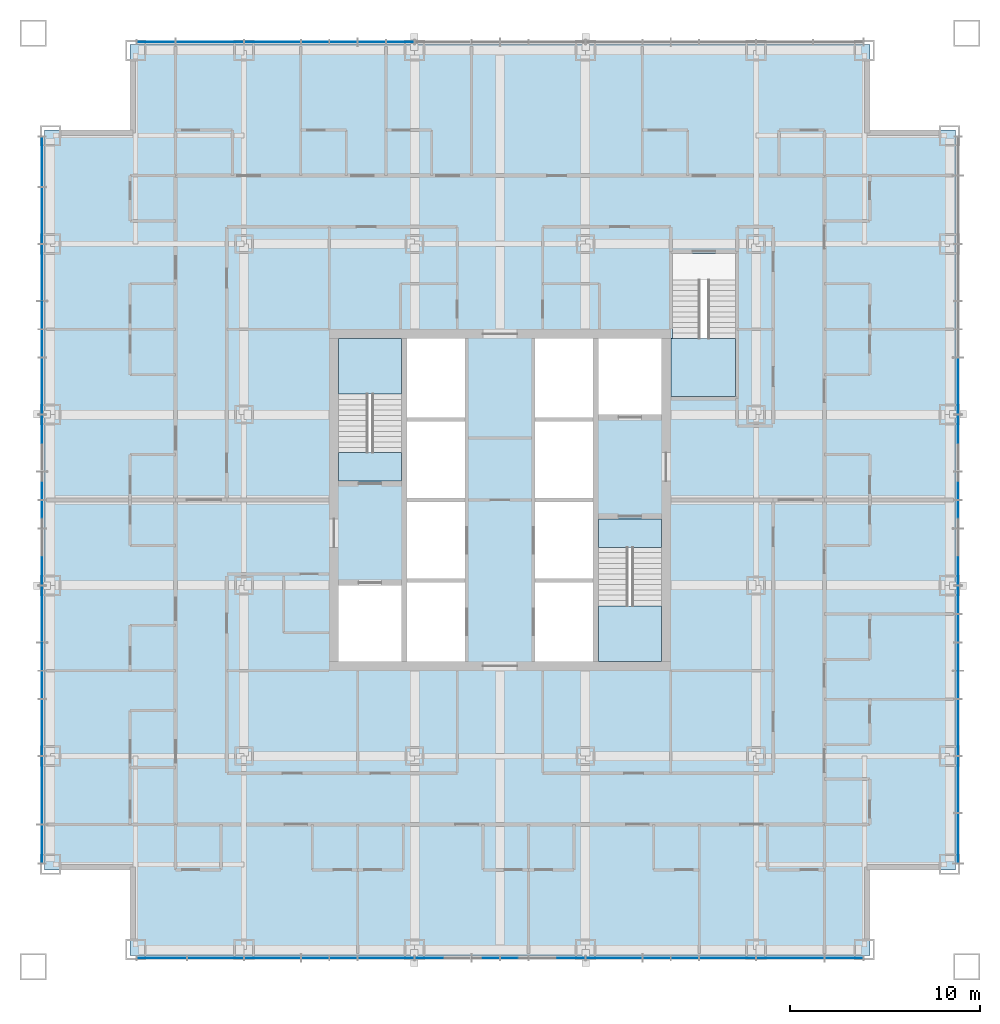
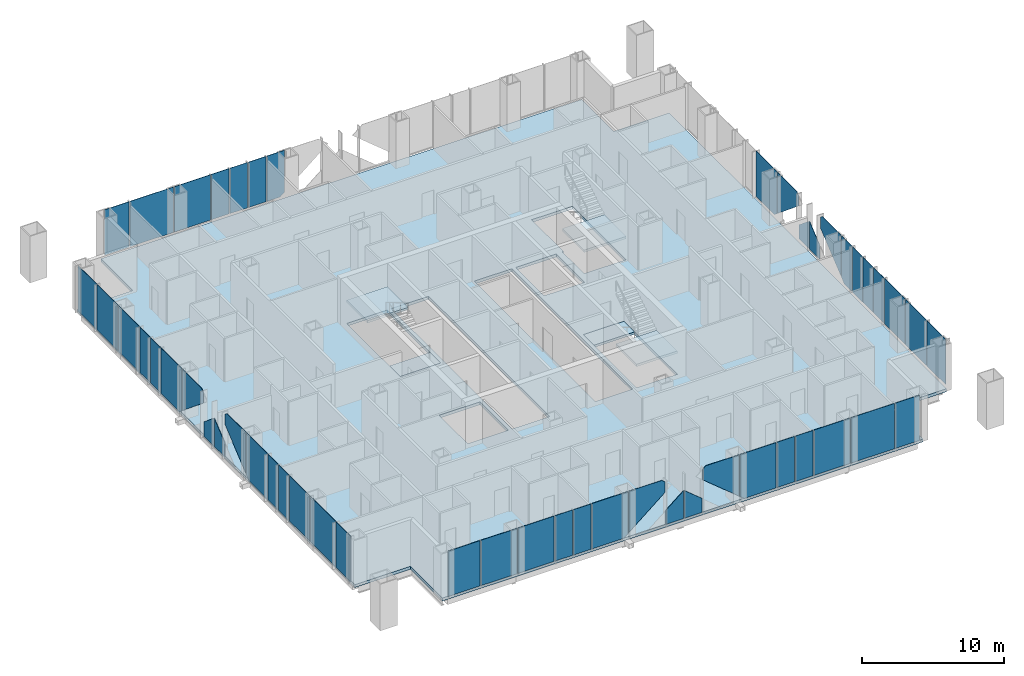
# One storey, part 7 of 16: 51 plates, 6 slabs, 7 elements without a shape of their own.
"""IFC4 building model written with IfcOpenShell, lengths in metres."""

from ifc_helpers import new_model, si_unit, direction, frame, origin, origin_2d, place, context, subcontext, project, spatial, polyline, rectangle, outline, extrude, material, layer, layer_set, type_object, element, aggregate, save


model = new_model("IFC4")

# Units and contexts
model_context = context("Model", 3, precision=1e-05, world=origin(), true_north=direction((0.0, 1.0)))
body_context = subcontext(model_context, "Body", "Model", "MODEL_VIEW")
ifc_project = project(units=[si_unit("LENGTHUNIT", "METRE"), si_unit("AREAUNIT", "SQUARE_METRE"), si_unit("VOLUMEUNIT", "CUBIC_METRE"), si_unit("PLANEANGLEUNIT", "RADIAN"), si_unit("MASSUNIT", "GRAM", prefix="KILO")], contexts=[model_context])

# Site, building, storey
site_placement = place(None, origin())
site = spatial("IfcSite", under=ifc_project, at=site_placement, CompositionType="ELEMENT")
building_placement = place(site_placement, origin())
building = spatial("IfcBuilding", under=site, at=building_placement, Name="Malebo Sky Hospital", CompositionType="ELEMENT")
storey_placement = place(building_placement, frame((0.0, 0.0, 116.0)))
storey = spatial("IfcBuildingStorey", under=building, at=storey_placement, Name="L27", CompositionType="ELEMENT", Elevation=116.0)

# Slab
ifc_material_1 = material(Name="Concrete C40/50", Category="concrete")
ifc_layer_1 = layer(ifc_material_1, 0.25)
ifc_layer_set_1 = layer_set([ifc_layer_1], Name="COMPOSITE FLOOR SLAB 250")
slab_type_1 = type_object("IfcSlabType", Name="COMPOSITE FLOOR SLAB 250", PredefinedType="FLOOR", material=ifc_layer_set_1)
slab_1_placement = place(storey_placement, frame((0.0, 0.0, -0.25)))
element("IfcSlab", 1, at=slab_1_placement, inside=storey, type_object=slab_type_1, Name="Floor slab L27", PredefinedType="FLOOR", context=body_context, shape_type="SweptSolid", body=[
    extrude(outline(polyline([(40.5, 86.0), (40.5, 81.5), (36.0, 81.5), (36.0, 42.5), (40.5, 42.5), (40.5, 38.0), (79.5, 38.0), (79.5, 42.5), (84.0, 42.5), (84.0, 81.5), (79.5, 81.5), (79.5, 86.0), (40.5, 86.0)]), holes=[polyline([(55.10009765625, 70.5), (58.14990234375, 70.5), (58.14990234375, 53.5), (55.10009765625, 53.5), (55.10009765625, 70.5)]), polyline([(64.89990234375, 70.5), (64.89990234375, 53.5), (61.85009765625, 53.5), (61.85009765625, 70.5), (64.89990234375, 70.5)]), polyline([(54.800048828125, 63.0), (51.5, 63.0), (51.5, 70.5), (54.800048828125, 70.5), (54.800048828125, 63.0)]), polyline([(51.5, 53.5), (51.5, 57.5), (54.800048828125, 57.5), (54.800048828125, 53.5), (51.5, 53.5)]), polyline([(65.199951171875, 61.0), (68.5, 61.0), (68.5, 53.5), (65.199951171875, 53.5), (65.199951171875, 61.0)]), polyline([(68.5, 70.5), (68.5, 66.5), (65.199951171875, 66.5), (65.199951171875, 70.5), (68.5, 70.5)]), polyline([(69.0, 67.449951171875), (69.0, 70.52001953125), (69.10009765625, 70.52001953125), (69.10009765625, 75.0), (72.39990234375, 75.0), (72.39990234375, 67.449951171875), (69.10009765625, 67.449951171875), (69.0, 67.449951171875)])]), origin(), (0.0, 0.0, 1.0), 0.25),
])

# Stair, slabs
stair_type_1 = type_object("IfcStairType", Name="HALF-TURN STAIR 1500 R167", PredefinedType="HALF_TURN_STAIR", material=ifc_material_1)
stair_1_placement = place(storey_placement, origin())
stair_1 = element("IfcStair", 2, at=stair_1_placement, inside=storey, type_object=stair_type_1, Name="Stair S1 L27 type ST1", PredefinedType="HALF_TURN_STAIR")
ifc_layer_2 = layer(ifc_material_1, 0.199951171875)
ifc_layer_set_2 = layer_set([ifc_layer_2], Name="STAIR LANDING 200")
slab_type_2 = type_object("IfcSlabType", Name="STAIR LANDING 200", PredefinedType="LANDING", material=ifc_layer_set_2)
slab_2_placement = place(storey_placement, frame((0.0, 0.0, -0.199951171875)))
slab_2 = element("IfcSlab", 3, at=slab_2_placement, type_object=slab_type_2, Name="S1 landing 1", PredefinedType="LANDING", context=body_context, shape_type="SweptSolid", body=[
    extrude(outline(polyline([(51.5, 63.0), (54.800048828125, 63.0), (54.800048828125, 64.5), (51.5, 64.5), (51.5, 63.0)])), origin(), (0.0, 0.0, 1.0), 0.199951171875),
])
slab_3_placement = place(storey_placement, frame((0.0, 0.0, 1.800048828125)))
slab_3 = element("IfcSlab", 4, at=slab_3_placement, type_object=slab_type_2, Name="S1 landing 2", PredefinedType="LANDING", context=body_context, shape_type="SweptSolid", body=[
    extrude(outline(polyline([(51.5, 67.580078125), (54.800048828125, 67.580078125), (54.800048828125, 70.5), (51.5, 70.5), (51.5, 67.580078125)])), origin(), (0.0, 0.0, 1.0), 0.199951171875),
])
aggregate(stair_1, [slab_2, slab_3])

stair_2_placement = place(storey_placement, origin())
stair_2 = element("IfcStair", 5, at=stair_2_placement, inside=storey, type_object=stair_type_1, Name="Stair S2 L27 type ST1", PredefinedType="HALF_TURN_STAIR")
slab_4_placement = place(storey_placement, frame((0.0, 0.0, -0.199951171875)))
slab_4 = element("IfcSlab", 6, at=slab_4_placement, type_object=slab_type_2, Name="S2 landing 1", PredefinedType="LANDING", context=body_context, shape_type="SweptSolid", body=[
    extrude(outline(polyline([(65.199951171875, 59.5), (68.5, 59.5), (68.5, 61.0), (65.199951171875, 61.0), (65.199951171875, 59.5)])), origin(), (0.0, 0.0, 1.0), 0.199951171875),
])
slab_5_placement = place(storey_placement, frame((0.0, 0.0, 1.800048828125)))
slab_5 = element("IfcSlab", 7, at=slab_5_placement, type_object=slab_type_2, Name="S2 landing 2", PredefinedType="LANDING", context=body_context, shape_type="SweptSolid", body=[
    extrude(outline(polyline([(65.199951171875, 53.5), (68.5, 53.5), (68.5, 56.419921875), (65.199951171875, 56.419921875), (65.199951171875, 53.5)])), origin(), (0.0, 0.0, 1.0), 0.199951171875),
])
aggregate(stair_2, [slab_4, slab_5])

# Stair, slab
stair_type_2 = type_object("IfcStairType", Name="HALF-TURN STAIR 1400 R167", PredefinedType="HALF_TURN_STAIR", material=ifc_material_1)
stair_3_placement = place(storey_placement, origin())
stair_3 = element("IfcStair", 8, at=stair_3_placement, inside=storey, type_object=stair_type_2, Name="Stair S3 L27 type ST1B", PredefinedType="HALF_TURN_STAIR")
slab_6_placement = place(storey_placement, frame((0.0, 0.0, 1.800048828125)))
slab_6 = element("IfcSlab", 9, at=slab_6_placement, type_object=slab_type_2, Name="S3 landing 2", PredefinedType="LANDING", context=body_context, shape_type="SweptSolid", body=[
    extrude(outline(polyline([(69.0, 67.449951171875), (72.39990234375, 67.449951171875), (72.39990234375, 70.52001953125), (69.0, 70.52001953125), (69.0, 67.449951171875)])), origin(), (0.0, 0.0, 1.0), 0.199951171875),
])
aggregate(stair_3, [slab_6])

# Curtain wall, plates
ifc_material_2 = material(Name="Anodised aluminium, natural silver", Category="aluminium")
ifc_layer_3 = layer(ifc_material_2, 0.25)
ifc_layer_set_3 = layer_set([ifc_layer_3], Name="WARD CURTAIN WALL NORTH AND SOUTH")
curtain_wall_type_1 = type_object("IfcCurtainWallType", Name="WARD CURTAIN WALL NORTH AND SOUTH", PredefinedType="NOTDEFINED", material=ifc_layer_set_3)
curtain_wall_1_placement = place(storey_placement, origin())
curtain_wall_1 = element("IfcCurtainWall", 10, at=curtain_wall_1_placement, inside=storey, type_object=curtain_wall_type_1, Name="NS curtain wall N", PredefinedType="NOTDEFINED")
ifc_material_3 = material(Name="Clear low-iron double glazing", Category="glass")
ifc_layer_4 = layer(ifc_material_3, 0.031982421875)
ifc_layer_set_4 = layer_set([ifc_layer_4], Name="VISION PANEL CLEAR 32")
plate_type = type_object("IfcPlateType", Name="VISION PANEL CLEAR 32", PredefinedType="CURTAIN_PANEL", material=ifc_layer_set_4)
plate_1_placement = place(storey_placement, frame((41.86865234375, 86.135009765625, 0.10009765625), z_axis=(0.0, 0.0, 1.0), x_axis=(1.0, 0.0, 0.0)))
plate_1 = element("IfcPlate", 11, at=plate_1_placement, type_object=plate_type, Name="Panel 1", PredefinedType="CURTAIN_PANEL", context=body_context, shape_type="SweptSolid", body=[
    extrude(rectangle(XDim=1.987548828125, YDim=0.031982421875, at=origin_2d()), origin(), (0.0, 0.0, 1.0), 3.889892578125),
])
plate_2_placement = place(storey_placement, frame((44.699951171875, 86.135009765625, 0.10009765625), z_axis=(0.0, 0.0, 1.0), x_axis=(1.0, 0.0, 0.0)))
plate_2 = element("IfcPlate", 12, at=plate_2_placement, type_object=plate_type, Name="Panel 2", PredefinedType="CURTAIN_PANEL", context=body_context, shape_type="SweptSolid", body=[
    extrude(rectangle(XDim=3.52490234375, YDim=0.031982421875, at=origin_2d()), origin(), (0.0, 0.0, 1.0), 3.889892578125),
])
plate_3_placement = place(storey_placement, frame((48.0, 86.135009765625, 0.10009765625), z_axis=(0.0, 0.0, 1.0), x_axis=(1.0, 0.0, 0.0)))
plate_3 = element("IfcPlate", 13, at=plate_3_placement, type_object=plate_type, Name="Panel 3", PredefinedType="CURTAIN_PANEL", context=body_context, shape_type="SweptSolid", body=[
    extrude(rectangle(XDim=2.925048828125, YDim=0.031982421875, at=origin_2d()), origin(), (0.0, 0.0, 1.0), 3.889892578125),
])
plate_4_placement = place(storey_placement, frame((50.25, 86.135009765625, 0.10009765625), z_axis=(0.0, 0.0, 1.0), x_axis=(1.0, 0.0, 0.0)))
plate_4 = element("IfcPlate", 14, at=plate_4_placement, type_object=plate_type, Name="Panel 4", PredefinedType="CURTAIN_PANEL", context=body_context, shape_type="SweptSolid", body=[
    extrude(rectangle(XDim=1.425048828125, YDim=0.031982421875, at=origin_2d()), origin(), (0.0, 0.0, 1.0), 3.889892578125),
])
plate_5_placement = place(storey_placement, frame((51.75, 86.135009765625, 0.10009765625), z_axis=(0.0, 0.0, 1.0), x_axis=(1.0, 0.0, 0.0)))
plate_5 = element("IfcPlate", 15, at=plate_5_placement, type_object=plate_type, Name="Panel 5", PredefinedType="CURTAIN_PANEL", context=body_context, shape_type="SweptSolid", body=[
    extrude(rectangle(XDim=1.425048828125, YDim=0.031982421875, at=origin_2d()), origin(), (0.0, 0.0, 1.0), 3.889892578125),
])
plate_6_placement = place(storey_placement, frame((53.25, 86.135009765625, 0.10009765625), z_axis=(0.0, 0.0, 1.0), x_axis=(1.0, 0.0, 0.0)))
plate_6 = element("IfcPlate", 16, at=plate_6_placement, type_object=plate_type, Name="Panel 6", PredefinedType="CURTAIN_PANEL", context=body_context, shape_type="SweptSolid", body=[
    extrude(rectangle(XDim=1.425048828125, YDim=0.031982421875, at=origin_2d()), origin(), (0.0, 0.0, 1.0), 3.889892578125),
])
plate_7_placement = place(storey_placement, frame((54.75, 86.135009765625, 0.10009765625), z_axis=(0.0, 0.0, 1.0), x_axis=(1.0, 0.0, 0.0)))
plate_7 = element("IfcPlate", 17, at=plate_7_placement, type_object=plate_type, Name="Panel 7", PredefinedType="CURTAIN_PANEL", context=body_context, shape_type="SweptSolid", body=[
    extrude(outline(polyline([(-0.71240234375, 0.0), (0.353515625, 0.0), (0.71240234375, 0.2958984375), (0.71240234375, 3.889892578125), (-0.71240234375, 3.889892578125), (-0.71240234375, 0.0)])), frame((0.0, 0.01611328125, 0.0), z_axis=(0.0, -1.0, 0.0), x_axis=(1.0, 0.0, 0.0)), (0.0, 0.0, 1.0), 0.031982421875),
])
aggregate(curtain_wall_1, [plate_1, plate_2, plate_3, plate_4, plate_5, plate_6, plate_7])

ifc_layer_5 = layer(ifc_material_2, 0.25)
ifc_layer_set_5 = layer_set([ifc_layer_5], Name="WARD CURTAIN WALL EAST AND WEST")
curtain_wall_type_2 = type_object("IfcCurtainWallType", Name="WARD CURTAIN WALL EAST AND WEST", PredefinedType="NOTDEFINED", material=ifc_layer_set_5)
curtain_wall_2_placement = place(storey_placement, origin())
curtain_wall_2 = element("IfcCurtainWall", 18, at=curtain_wall_2_placement, inside=storey, type_object=curtain_wall_type_2, Name="EW curtain wall W", PredefinedType="NOTDEFINED")
plate_8_placement = place(storey_placement, frame((35.864990234375, 43.86865234375, 0.10009765625), z_axis=(0.0, 0.0, 1.0), x_axis=(0.0, 1.0, 0.0)))
plate_8 = element("IfcPlate", 19, at=plate_8_placement, type_object=plate_type, Name="Panel 1", PredefinedType="CURTAIN_PANEL", context=body_context, shape_type="SweptSolid", body=[
    extrude(rectangle(XDim=1.987548828125, YDim=0.031982421875, at=origin_2d()), origin(), (0.0, 0.0, 1.0), 3.889892578125),
])
plate_9_placement = place(storey_placement, frame((35.864990234375, 46.699951171875, 0.10009765625), z_axis=(0.0, 0.0, 1.0), x_axis=(0.0, 1.0, 0.0)))
plate_9 = element("IfcPlate", 20, at=plate_9_placement, type_object=plate_type, Name="Panel 2", PredefinedType="CURTAIN_PANEL", context=body_context, shape_type="SweptSolid", body=[
    extrude(rectangle(XDim=3.52490234375, YDim=0.031982421875, at=origin_2d()), origin(), (0.0, 0.0, 1.0), 3.889892578125),
])
plate_10_placement = place(storey_placement, frame((35.864990234375, 50.0, 0.10009765625), z_axis=(0.0, 0.0, 1.0), x_axis=(0.0, 1.0, 0.0)))
plate_10 = element("IfcPlate", 21, at=plate_10_placement, type_object=plate_type, Name="Panel 3", PredefinedType="CURTAIN_PANEL", context=body_context, shape_type="SweptSolid", body=[
    extrude(rectangle(XDim=2.925048828125, YDim=0.031982421875, at=origin_2d()), origin(), (0.0, 0.0, 1.0), 3.889892578125),
])
plate_11_placement = place(storey_placement, frame((35.864990234375, 52.25, 0.10009765625), z_axis=(0.0, 0.0, 1.0), x_axis=(0.0, 1.0, 0.0)))
plate_11 = element("IfcPlate", 22, at=plate_11_placement, type_object=plate_type, Name="Panel 4", PredefinedType="CURTAIN_PANEL", context=body_context, shape_type="SweptSolid", body=[
    extrude(rectangle(XDim=1.425048828125, YDim=0.031982421875, at=origin_2d()), origin(), (0.0, 0.0, 1.0), 3.889892578125),
])
plate_12_placement = place(storey_placement, frame((35.864990234375, 53.75, 0.10009765625), z_axis=(0.0, 0.0, 1.0), x_axis=(0.0, 1.0, 0.0)))
plate_12 = element("IfcPlate", 23, at=plate_12_placement, type_object=plate_type, Name="Panel 5", PredefinedType="CURTAIN_PANEL", context=body_context, shape_type="SweptSolid", body=[
    extrude(rectangle(XDim=1.425048828125, YDim=0.031982421875, at=origin_2d()), origin(), (0.0, 0.0, 1.0), 3.889892578125),
])
plate_13_placement = place(storey_placement, frame((35.864990234375, 56.0, 0.10009765625), z_axis=(0.0, 0.0, 1.0), x_axis=(0.0, 1.0, 0.0)))
plate_13 = element("IfcPlate", 24, at=plate_13_placement, type_object=plate_type, Name="Panel 6", PredefinedType="CURTAIN_PANEL", context=body_context, shape_type="SweptSolid", body=[
    extrude(outline(polyline([(-1.46240234375, 0.0), (1.103515625, 0.0), (1.46240234375, 0.2958984375), (1.46240234375, 3.889892578125), (-1.46240234375, 3.889892578125), (-1.46240234375, 0.0)])), frame((0.0, 0.01611328125, 0.0), z_axis=(0.0, -1.0, 0.0), x_axis=(1.0, 0.0, 0.0)), (0.0, 0.0, 1.0), 0.031982421875),
])
plate_14_placement = place(storey_placement, frame((35.864990234375, 59.0, 0.457763671875), z_axis=(0.0, 0.0, 1.0), x_axis=(0.0, 1.0, 0.0)))
plate_14 = element("IfcPlate", 25, at=plate_14_placement, type_object=plate_type, Name="Panel 7", PredefinedType="CURTAIN_PANEL", context=body_context, shape_type="SweptSolid", body=[
    extrude(outline(polyline([(-1.46240234375, 0.0), (1.46240234375, 2.410888671875), (1.46240234375, 3.323974609375), (1.209716796875, 3.5322265625), (-1.46240234375, 3.5322265625), (-1.46240234375, 0.0)])), frame((0.0, 0.01611328125, 0.0), z_axis=(0.0, -1.0, 0.0), x_axis=(1.0, 0.0, 0.0)), (0.0, 0.0, 1.0), 0.031982421875),
])
plate_15_placement = place(storey_placement, frame((35.864990234375, 61.25, 0.10009765625), z_axis=(0.0, 0.0, 1.0), x_axis=(0.0, 1.0, 0.0)))
plate_15 = element("IfcPlate", 26, at=plate_15_placement, type_object=plate_type, Name="Panel 8", PredefinedType="CURTAIN_PANEL", context=body_context, shape_type="SweptSolid", body=[
    extrude(outline(polyline([(-0.71240234375, 0.0), (0.71240234375, 0.0), (0.71240234375, 2.383544921875), (-0.71240234375, 1.208984375), (-0.71240234375, 0.0)])), frame((0.0, 0.01611328125, 0.0), z_axis=(0.0, -1.0, 0.0), x_axis=(1.0, 0.0, 0.0)), (0.0, 0.0, 1.0), 0.031982421875),
])
plate_16_placement = place(storey_placement, frame((35.864990234375, 62.75, 0.10009765625), z_axis=(0.0, 0.0, 1.0), x_axis=(0.0, 1.0, 0.0)))
plate_16 = element("IfcPlate", 27, at=plate_16_placement, type_object=plate_type, Name="Panel 9", PredefinedType="CURTAIN_PANEL", context=body_context, shape_type="SweptSolid", body=[
    extrude(outline(polyline([(-0.71240234375, 0.0), (0.71240234375, 0.0), (0.71240234375, 1.208984375), (-0.71240234375, 2.383544921875), (-0.71240234375, 0.0)])), frame((0.0, 0.01611328125, 0.0), z_axis=(0.0, -1.0, 0.0), x_axis=(1.0, 0.0, 0.0)), (0.0, 0.0, 1.0), 0.031982421875),
])
plate_17_placement = place(storey_placement, frame((35.864990234375, 65.0, 0.457763671875), z_axis=(0.0, 0.0, 1.0), x_axis=(0.0, 1.0, 0.0)))
plate_17 = element("IfcPlate", 28, at=plate_17_placement, type_object=plate_type, Name="Panel 10", PredefinedType="CURTAIN_PANEL", context=body_context, shape_type="SweptSolid", body=[
    extrude(outline(polyline([(1.46240234375, 0.0), (1.46240234375, 3.5322265625), (-1.209716796875, 3.5322265625), (-1.46240234375, 3.323974609375), (-1.46240234375, 2.410888671875), (1.46240234375, 0.0)])), frame((0.0, 0.01611328125, 0.0), z_axis=(0.0, -1.0, 0.0), x_axis=(1.0, 0.0, 0.0)), (0.0, 0.0, 1.0), 0.031982421875),
])
plate_18_placement = place(storey_placement, frame((35.864990234375, 68.0, 0.10009765625), z_axis=(0.0, 0.0, 1.0), x_axis=(0.0, 1.0, 0.0)))
plate_18 = element("IfcPlate", 29, at=plate_18_placement, type_object=plate_type, Name="Panel 11", PredefinedType="CURTAIN_PANEL", context=body_context, shape_type="SweptSolid", body=[
    extrude(outline(polyline([(-1.103515625, 0.0), (1.46240234375, 0.0), (1.46240234375, 3.889892578125), (-1.46240234375, 3.889892578125), (-1.46240234375, 0.2958984375), (-1.103515625, 0.0)])), frame((0.0, 0.01611328125, 0.0), z_axis=(0.0, -1.0, 0.0), x_axis=(1.0, 0.0, 0.0)), (0.0, 0.0, 1.0), 0.031982421875),
])
plate_19_placement = place(storey_placement, frame((35.864990234375, 70.25, 0.10009765625), z_axis=(0.0, 0.0, 1.0), x_axis=(0.0, 1.0, 0.0)))
plate_19 = element("IfcPlate", 30, at=plate_19_placement, type_object=plate_type, Name="Panel 12", PredefinedType="CURTAIN_PANEL", context=body_context, shape_type="SweptSolid", body=[
    extrude(rectangle(XDim=1.425048828125, YDim=0.031982421875, at=origin_2d()), origin(), (0.0, 0.0, 1.0), 3.889892578125),
])
plate_20_placement = place(storey_placement, frame((35.864990234375, 71.75, 0.10009765625), z_axis=(0.0, 0.0, 1.0), x_axis=(0.0, 1.0, 0.0)))
plate_20 = element("IfcPlate", 31, at=plate_20_placement, type_object=plate_type, Name="Panel 13", PredefinedType="CURTAIN_PANEL", context=body_context, shape_type="SweptSolid", body=[
    extrude(rectangle(XDim=1.425048828125, YDim=0.031982421875, at=origin_2d()), origin(), (0.0, 0.0, 1.0), 3.889892578125),
])
plate_21_placement = place(storey_placement, frame((35.864990234375, 74.0, 0.10009765625), z_axis=(0.0, 0.0, 1.0), x_axis=(0.0, 1.0, 0.0)))
plate_21 = element("IfcPlate", 32, at=plate_21_placement, type_object=plate_type, Name="Panel 14", PredefinedType="CURTAIN_PANEL", context=body_context, shape_type="SweptSolid", body=[
    extrude(rectangle(XDim=2.925048828125, YDim=0.031982421875, at=origin_2d()), origin(), (0.0, 0.0, 1.0), 3.889892578125),
])
plate_22_placement = place(storey_placement, frame((35.864990234375, 77.0, 0.10009765625), z_axis=(0.0, 0.0, 1.0), x_axis=(0.0, 1.0, 0.0)))
plate_22 = element("IfcPlate", 33, at=plate_22_placement, type_object=plate_type, Name="Panel 15", PredefinedType="CURTAIN_PANEL", context=body_context, shape_type="SweptSolid", body=[
    extrude(rectangle(XDim=2.925048828125, YDim=0.031982421875, at=origin_2d()), origin(), (0.0, 0.0, 1.0), 3.889892578125),
])
plate_23_placement = place(storey_placement, frame((35.864990234375, 79.831298828125, 0.10009765625), z_axis=(0.0, 0.0, 1.0), x_axis=(0.0, 1.0, 0.0)))
plate_23 = element("IfcPlate", 34, at=plate_23_placement, type_object=plate_type, Name="Panel 16", PredefinedType="CURTAIN_PANEL", context=body_context, shape_type="SweptSolid", body=[
    extrude(rectangle(XDim=2.58740234375, YDim=0.031982421875, at=origin_2d()), origin(), (0.0, 0.0, 1.0), 3.889892578125),
])
aggregate(curtain_wall_2, [plate_8, plate_9, plate_10, plate_11, plate_12, plate_13, plate_14, plate_15, plate_16, plate_17, plate_18, plate_19, plate_20, plate_21, plate_22, plate_23])

curtain_wall_3_placement = place(storey_placement, origin())
curtain_wall_3 = element("IfcCurtainWall", 35, at=curtain_wall_3_placement, inside=storey, type_object=curtain_wall_type_1, Name="NS curtain wall S", PredefinedType="NOTDEFINED")
plate_24_placement = place(storey_placement, frame((78.13134765625, 37.864990234375, 0.10009765625), z_axis=(0.0, 0.0, 1.0), x_axis=(-1.0, 0.0, 0.0)))
plate_24 = element("IfcPlate", 36, at=plate_24_placement, type_object=plate_type, Name="Panel 1", PredefinedType="CURTAIN_PANEL", context=body_context, shape_type="SweptSolid", body=[
    extrude(rectangle(XDim=1.987548828125, YDim=0.031982421875, at=origin_2d()), origin(), (0.0, 0.0, 1.0), 3.889892578125),
])
plate_25_placement = place(storey_placement, frame((75.300048828125, 37.864990234375, 0.10009765625), z_axis=(0.0, 0.0, 1.0), x_axis=(-1.0, 0.0, 0.0)))
plate_25 = element("IfcPlate", 37, at=plate_25_placement, type_object=plate_type, Name="Panel 2", PredefinedType="CURTAIN_PANEL", context=body_context, shape_type="SweptSolid", body=[
    extrude(rectangle(XDim=3.52490234375, YDim=0.031982421875, at=origin_2d()), origin(), (0.0, 0.0, 1.0), 3.889892578125),
])
plate_26_placement = place(storey_placement, frame((72.0, 37.864990234375, 0.10009765625), z_axis=(0.0, 0.0, 1.0), x_axis=(-1.0, 0.0, 0.0)))
plate_26 = element("IfcPlate", 38, at=plate_26_placement, type_object=plate_type, Name="Panel 3", PredefinedType="CURTAIN_PANEL", context=body_context, shape_type="SweptSolid", body=[
    extrude(rectangle(XDim=2.925048828125, YDim=0.031982421875, at=origin_2d()), origin(), (0.0, 0.0, 1.0), 3.889892578125),
])
plate_27_placement = place(storey_placement, frame((69.75, 37.864990234375, 0.10009765625), z_axis=(0.0, 0.0, 1.0), x_axis=(-1.0, 0.0, 0.0)))
plate_27 = element("IfcPlate", 39, at=plate_27_placement, type_object=plate_type, Name="Panel 4", PredefinedType="CURTAIN_PANEL", context=body_context, shape_type="SweptSolid", body=[
    extrude(rectangle(XDim=1.425048828125, YDim=0.031982421875, at=origin_2d()), origin(), (0.0, 0.0, 1.0), 3.889892578125),
])
plate_28_placement = place(storey_placement, frame((68.25, 37.864990234375, 0.10009765625), z_axis=(0.0, 0.0, 1.0), x_axis=(-1.0, 0.0, 0.0)))
plate_28 = element("IfcPlate", 40, at=plate_28_placement, type_object=plate_type, Name="Panel 5", PredefinedType="CURTAIN_PANEL", context=body_context, shape_type="SweptSolid", body=[
    extrude(rectangle(XDim=1.425048828125, YDim=0.031982421875, at=origin_2d()), origin(), (0.0, 0.0, 1.0), 3.889892578125),
])
plate_29_placement = place(storey_placement, frame((66.0, 37.864990234375, 0.10009765625), z_axis=(0.0, 0.0, 1.0), x_axis=(-1.0, 0.0, 0.0)))
plate_29 = element("IfcPlate", 41, at=plate_29_placement, type_object=plate_type, Name="Panel 6", PredefinedType="CURTAIN_PANEL", context=body_context, shape_type="SweptSolid", body=[
    extrude(outline(polyline([(-1.46240234375, 0.0), (1.103515625, 0.0), (1.46240234375, 0.2958984375), (1.46240234375, 3.889892578125), (-1.46240234375, 3.889892578125), (-1.46240234375, 0.0)])), frame((0.0, 0.01611328125, 0.0), z_axis=(0.0, -1.0, 0.0), x_axis=(1.0, 0.0, 0.0)), (0.0, 0.0, 1.0), 0.031982421875),
])
plate_30_placement = place(storey_placement, frame((63.0, 37.864990234375, 0.457763671875), z_axis=(0.0, 0.0, 1.0), x_axis=(-1.0, 0.0, 0.0)))
plate_30 = element("IfcPlate", 42, at=plate_30_placement, type_object=plate_type, Name="Panel 7", PredefinedType="CURTAIN_PANEL", context=body_context, shape_type="SweptSolid", body=[
    extrude(outline(polyline([(-1.46240234375, 0.0), (1.46240234375, 2.410888671875), (1.46240234375, 3.323974609375), (1.209716796875, 3.5322265625), (-1.46240234375, 3.5322265625), (-1.46240234375, 0.0)])), frame((0.0, 0.01611328125, 0.0), z_axis=(0.0, -1.0, 0.0), x_axis=(1.0, 0.0, 0.0)), (0.0, 0.0, 1.0), 0.031982421875),
])
plate_31_placement = place(storey_placement, frame((60.75, 37.864990234375, 0.10009765625), z_axis=(0.0, 0.0, 1.0), x_axis=(-1.0, 0.0, 0.0)))
plate_31 = element("IfcPlate", 43, at=plate_31_placement, type_object=plate_type, Name="Panel 8", PredefinedType="CURTAIN_PANEL", context=body_context, shape_type="SweptSolid", body=[
    extrude(outline(polyline([(-0.71240234375, 0.0), (0.71240234375, 0.0), (0.71240234375, 2.383544921875), (-0.71240234375, 1.208984375), (-0.71240234375, 0.0)])), frame((0.0, 0.01611328125, 0.0), z_axis=(0.0, -1.0, 0.0), x_axis=(1.0, 0.0, 0.0)), (0.0, 0.0, 1.0), 0.031982421875),
])
plate_32_placement = place(storey_placement, frame((59.25, 37.864990234375, 0.10009765625), z_axis=(0.0, 0.0, 1.0), x_axis=(-1.0, 0.0, 0.0)))
plate_32 = element("IfcPlate", 44, at=plate_32_placement, type_object=plate_type, Name="Panel 9", PredefinedType="CURTAIN_PANEL", context=body_context, shape_type="SweptSolid", body=[
    extrude(outline(polyline([(-0.71240234375, 0.0), (0.71240234375, 0.0), (0.71240234375, 1.208984375), (-0.71240234375, 2.383544921875), (-0.71240234375, 0.0)])), frame((0.0, 0.01611328125, 0.0), z_axis=(0.0, -1.0, 0.0), x_axis=(1.0, 0.0, 0.0)), (0.0, 0.0, 1.0), 0.031982421875),
])
plate_33_placement = place(storey_placement, frame((57.0, 37.864990234375, 0.457763671875), z_axis=(0.0, 0.0, 1.0), x_axis=(-1.0, 0.0, 0.0)))
plate_33 = element("IfcPlate", 45, at=plate_33_placement, type_object=plate_type, Name="Panel 10", PredefinedType="CURTAIN_PANEL", context=body_context, shape_type="SweptSolid", body=[
    extrude(outline(polyline([(1.46240234375, 0.0), (1.46240234375, 3.5322265625), (-1.209716796875, 3.5322265625), (-1.46240234375, 3.323974609375), (-1.46240234375, 2.410888671875), (1.46240234375, 0.0)])), frame((0.0, 0.01611328125, 0.0), z_axis=(0.0, -1.0, 0.0), x_axis=(1.0, 0.0, 0.0)), (0.0, 0.0, 1.0), 0.031982421875),
])
plate_34_placement = place(storey_placement, frame((54.0, 37.864990234375, 0.10009765625), z_axis=(0.0, 0.0, 1.0), x_axis=(-1.0, 0.0, 0.0)))
plate_34 = element("IfcPlate", 46, at=plate_34_placement, type_object=plate_type, Name="Panel 11", PredefinedType="CURTAIN_PANEL", context=body_context, shape_type="SweptSolid", body=[
    extrude(outline(polyline([(-1.103515625, 0.0), (1.46240234375, 0.0), (1.46240234375, 3.889892578125), (-1.46240234375, 3.889892578125), (-1.46240234375, 0.2958984375), (-1.103515625, 0.0)])), frame((0.0, 0.01611328125, 0.0), z_axis=(0.0, -1.0, 0.0), x_axis=(1.0, 0.0, 0.0)), (0.0, 0.0, 1.0), 0.031982421875),
])
plate_35_placement = place(storey_placement, frame((51.75, 37.864990234375, 0.10009765625), z_axis=(0.0, 0.0, 1.0), x_axis=(-1.0, 0.0, 0.0)))
plate_35 = element("IfcPlate", 47, at=plate_35_placement, type_object=plate_type, Name="Panel 12", PredefinedType="CURTAIN_PANEL", context=body_context, shape_type="SweptSolid", body=[
    extrude(rectangle(XDim=1.425048828125, YDim=0.031982421875, at=origin_2d()), origin(), (0.0, 0.0, 1.0), 3.889892578125),
])
plate_36_placement = place(storey_placement, frame((50.25, 37.864990234375, 0.10009765625), z_axis=(0.0, 0.0, 1.0), x_axis=(-1.0, 0.0, 0.0)))
plate_36 = element("IfcPlate", 48, at=plate_36_placement, type_object=plate_type, Name="Panel 13", PredefinedType="CURTAIN_PANEL", context=body_context, shape_type="SweptSolid", body=[
    extrude(rectangle(XDim=1.425048828125, YDim=0.031982421875, at=origin_2d()), origin(), (0.0, 0.0, 1.0), 3.889892578125),
])
plate_37_placement = place(storey_placement, frame((48.0, 37.864990234375, 0.10009765625), z_axis=(0.0, 0.0, 1.0), x_axis=(-1.0, 0.0, 0.0)))
plate_37 = element("IfcPlate", 49, at=plate_37_placement, type_object=plate_type, Name="Panel 14", PredefinedType="CURTAIN_PANEL", context=body_context, shape_type="SweptSolid", body=[
    extrude(rectangle(XDim=2.925048828125, YDim=0.031982421875, at=origin_2d()), origin(), (0.0, 0.0, 1.0), 3.889892578125),
])
plate_38_placement = place(storey_placement, frame((45.0, 37.864990234375, 0.10009765625), z_axis=(0.0, 0.0, 1.0), x_axis=(-1.0, 0.0, 0.0)))
plate_38 = element("IfcPlate", 50, at=plate_38_placement, type_object=plate_type, Name="Panel 15", PredefinedType="CURTAIN_PANEL", context=body_context, shape_type="SweptSolid", body=[
    extrude(rectangle(XDim=2.925048828125, YDim=0.031982421875, at=origin_2d()), origin(), (0.0, 0.0, 1.0), 3.889892578125),
])
plate_39_placement = place(storey_placement, frame((42.168701171875, 37.864990234375, 0.10009765625), z_axis=(0.0, 0.0, 1.0), x_axis=(-1.0, 0.0, 0.0)))
plate_39 = element("IfcPlate", 51, at=plate_39_placement, type_object=plate_type, Name="Panel 16", PredefinedType="CURTAIN_PANEL", context=body_context, shape_type="SweptSolid", body=[
    extrude(rectangle(XDim=2.58740234375, YDim=0.031982421875, at=origin_2d()), origin(), (0.0, 0.0, 1.0), 3.889892578125),
])
aggregate(curtain_wall_3, [plate_24, plate_25, plate_26, plate_27, plate_28, plate_29, plate_30, plate_31, plate_32, plate_33, plate_34, plate_35, plate_36, plate_37, plate_38, plate_39])

curtain_wall_4_placement = place(storey_placement, origin())
curtain_wall_4 = element("IfcCurtainWall", 52, at=curtain_wall_4_placement, inside=storey, type_object=curtain_wall_type_2, Name="EW curtain wall E", PredefinedType="NOTDEFINED")
plate_40_placement = place(storey_placement, frame((84.135009765625, 68.0, 0.10009765625), z_axis=(0.0, 0.0, 1.0), x_axis=(0.0, -1.0, 0.0)))
plate_40 = element("IfcPlate", 53, at=plate_40_placement, type_object=plate_type, Name="Panel 6", PredefinedType="CURTAIN_PANEL", context=body_context, shape_type="SweptSolid", body=[
    extrude(outline(polyline([(-1.46240234375, 0.0), (1.103515625, 0.0), (1.46240234375, 0.2958984375), (1.46240234375, 3.889892578125), (-1.46240234375, 3.889892578125), (-1.46240234375, 0.0)])), frame((0.0, 0.01611328125, 0.0), z_axis=(0.0, -1.0, 0.0), x_axis=(1.0, 0.0, 0.0)), (0.0, 0.0, 1.0), 0.031982421875),
])
plate_41_placement = place(storey_placement, frame((84.135009765625, 65.0, 0.457763671875), z_axis=(0.0, 0.0, 1.0), x_axis=(0.0, -1.0, 0.0)))
plate_41 = element("IfcPlate", 54, at=plate_41_placement, type_object=plate_type, Name="Panel 7", PredefinedType="CURTAIN_PANEL", context=body_context, shape_type="SweptSolid", body=[
    extrude(outline(polyline([(-1.46240234375, 0.0), (1.46240234375, 2.410888671875), (1.46240234375, 3.323974609375), (1.209716796875, 3.5322265625), (-1.46240234375, 3.5322265625), (-1.46240234375, 0.0)])), frame((0.0, 0.01611328125, 0.0), z_axis=(0.0, -1.0, 0.0), x_axis=(1.0, 0.0, 0.0)), (0.0, 0.0, 1.0), 0.031982421875),
])
plate_42_placement = place(storey_placement, frame((84.135009765625, 62.75, 0.10009765625), z_axis=(0.0, 0.0, 1.0), x_axis=(0.0, -1.0, 0.0)))
plate_42 = element("IfcPlate", 55, at=plate_42_placement, type_object=plate_type, Name="Panel 8", PredefinedType="CURTAIN_PANEL", context=body_context, shape_type="SweptSolid", body=[
    extrude(outline(polyline([(-0.71240234375, 0.0), (0.71240234375, 0.0), (0.71240234375, 2.383544921875), (-0.71240234375, 1.208984375), (-0.71240234375, 0.0)])), frame((0.0, 0.01611328125, 0.0), z_axis=(0.0, -1.0, 0.0), x_axis=(1.0, 0.0, 0.0)), (0.0, 0.0, 1.0), 0.031982421875),
])
plate_43_placement = place(storey_placement, frame((84.135009765625, 61.25, 0.10009765625), z_axis=(0.0, 0.0, 1.0), x_axis=(0.0, -1.0, 0.0)))
plate_43 = element("IfcPlate", 56, at=plate_43_placement, type_object=plate_type, Name="Panel 9", PredefinedType="CURTAIN_PANEL", context=body_context, shape_type="SweptSolid", body=[
    extrude(outline(polyline([(-0.71240234375, 0.0), (0.71240234375, 0.0), (0.71240234375, 1.208984375), (-0.71240234375, 2.383544921875), (-0.71240234375, 0.0)])), frame((0.0, 0.01611328125, 0.0), z_axis=(0.0, -1.0, 0.0), x_axis=(1.0, 0.0, 0.0)), (0.0, 0.0, 1.0), 0.031982421875),
])
plate_44_placement = place(storey_placement, frame((84.135009765625, 59.0, 0.457763671875), z_axis=(0.0, 0.0, 1.0), x_axis=(0.0, -1.0, 0.0)))
plate_44 = element("IfcPlate", 57, at=plate_44_placement, type_object=plate_type, Name="Panel 10", PredefinedType="CURTAIN_PANEL", context=body_context, shape_type="SweptSolid", body=[
    extrude(outline(polyline([(1.46240234375, 0.0), (1.46240234375, 3.5322265625), (-1.209716796875, 3.5322265625), (-1.46240234375, 3.323974609375), (-1.46240234375, 2.410888671875), (1.46240234375, 0.0)])), frame((0.0, 0.01611328125, 0.0), z_axis=(0.0, -1.0, 0.0), x_axis=(1.0, 0.0, 0.0)), (0.0, 0.0, 1.0), 0.031982421875),
])
plate_45_placement = place(storey_placement, frame((84.135009765625, 56.75, 0.10009765625), z_axis=(0.0, 0.0, 1.0), x_axis=(0.0, -1.0, 0.0)))
plate_45 = element("IfcPlate", 58, at=plate_45_placement, type_object=plate_type, Name="Panel 11", PredefinedType="CURTAIN_PANEL", context=body_context, shape_type="SweptSolid", body=[
    extrude(outline(polyline([(-0.353515625, 0.0), (0.71240234375, 0.0), (0.71240234375, 3.889892578125), (-0.71240234375, 3.889892578125), (-0.71240234375, 0.2958984375), (-0.353515625, 0.0)])), frame((0.0, 0.01611328125, 0.0), z_axis=(0.0, -1.0, 0.0), x_axis=(1.0, 0.0, 0.0)), (0.0, 0.0, 1.0), 0.031982421875),
])
plate_46_placement = place(storey_placement, frame((84.135009765625, 55.25, 0.10009765625), z_axis=(0.0, 0.0, 1.0), x_axis=(0.0, -1.0, 0.0)))
plate_46 = element("IfcPlate", 59, at=plate_46_placement, type_object=plate_type, Name="Panel 12", PredefinedType="CURTAIN_PANEL", context=body_context, shape_type="SweptSolid", body=[
    extrude(rectangle(XDim=1.425048828125, YDim=0.031982421875, at=origin_2d()), origin(), (0.0, 0.0, 1.0), 3.889892578125),
])
plate_47_placement = place(storey_placement, frame((84.135009765625, 53.75, 0.10009765625), z_axis=(0.0, 0.0, 1.0), x_axis=(0.0, -1.0, 0.0)))
plate_47 = element("IfcPlate", 60, at=plate_47_placement, type_object=plate_type, Name="Panel 13", PredefinedType="CURTAIN_PANEL", context=body_context, shape_type="SweptSolid", body=[
    extrude(rectangle(XDim=1.425048828125, YDim=0.031982421875, at=origin_2d()), origin(), (0.0, 0.0, 1.0), 3.889892578125),
])
plate_48_placement = place(storey_placement, frame((84.135009765625, 52.25, 0.10009765625), z_axis=(0.0, 0.0, 1.0), x_axis=(0.0, -1.0, 0.0)))
plate_48 = element("IfcPlate", 61, at=plate_48_placement, type_object=plate_type, Name="Panel 14", PredefinedType="CURTAIN_PANEL", context=body_context, shape_type="SweptSolid", body=[
    extrude(rectangle(XDim=1.425048828125, YDim=0.031982421875, at=origin_2d()), origin(), (0.0, 0.0, 1.0), 3.889892578125),
])
plate_49_placement = place(storey_placement, frame((84.135009765625, 50.0, 0.10009765625), z_axis=(0.0, 0.0, 1.0), x_axis=(0.0, -1.0, 0.0)))
plate_49 = element("IfcPlate", 62, at=plate_49_placement, type_object=plate_type, Name="Panel 15", PredefinedType="CURTAIN_PANEL", context=body_context, shape_type="SweptSolid", body=[
    extrude(rectangle(XDim=2.925048828125, YDim=0.031982421875, at=origin_2d()), origin(), (0.0, 0.0, 1.0), 3.889892578125),
])
plate_50_placement = place(storey_placement, frame((84.135009765625, 47.0, 0.10009765625), z_axis=(0.0, 0.0, 1.0), x_axis=(0.0, -1.0, 0.0)))
plate_50 = element("IfcPlate", 63, at=plate_50_placement, type_object=plate_type, Name="Panel 16", PredefinedType="CURTAIN_PANEL", context=body_context, shape_type="SweptSolid", body=[
    extrude(rectangle(XDim=2.925048828125, YDim=0.031982421875, at=origin_2d()), origin(), (0.0, 0.0, 1.0), 3.889892578125),
])
plate_51_placement = place(storey_placement, frame((84.135009765625, 44.168701171875, 0.10009765625), z_axis=(0.0, 0.0, 1.0), x_axis=(0.0, -1.0, 0.0)))
plate_51 = element("IfcPlate", 64, at=plate_51_placement, type_object=plate_type, Name="Panel 17", PredefinedType="CURTAIN_PANEL", context=body_context, shape_type="SweptSolid", body=[
    extrude(rectangle(XDim=2.58740234375, YDim=0.031982421875, at=origin_2d()), origin(), (0.0, 0.0, 1.0), 3.889892578125),
])
aggregate(curtain_wall_4, [plate_40, plate_41, plate_42, plate_43, plate_44, plate_45, plate_46, plate_47, plate_48, plate_49, plate_50, plate_51])

save(model, "model.ifc")
